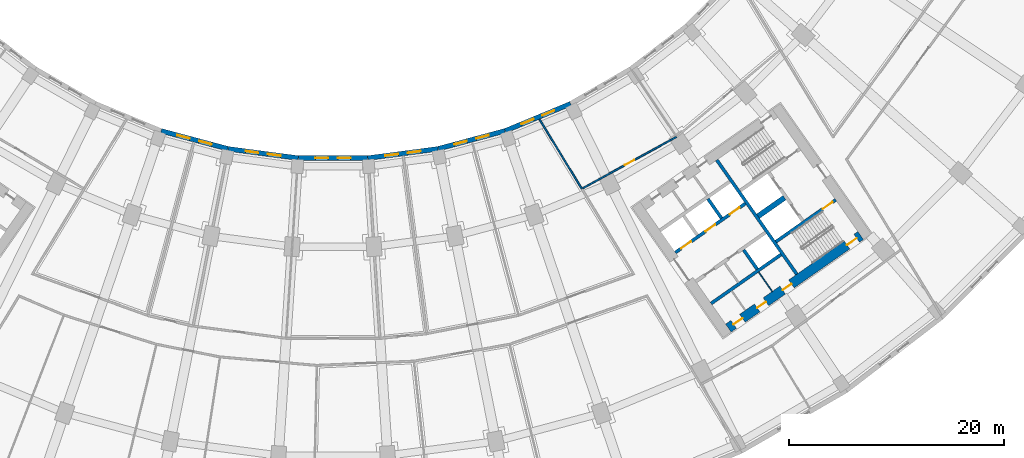
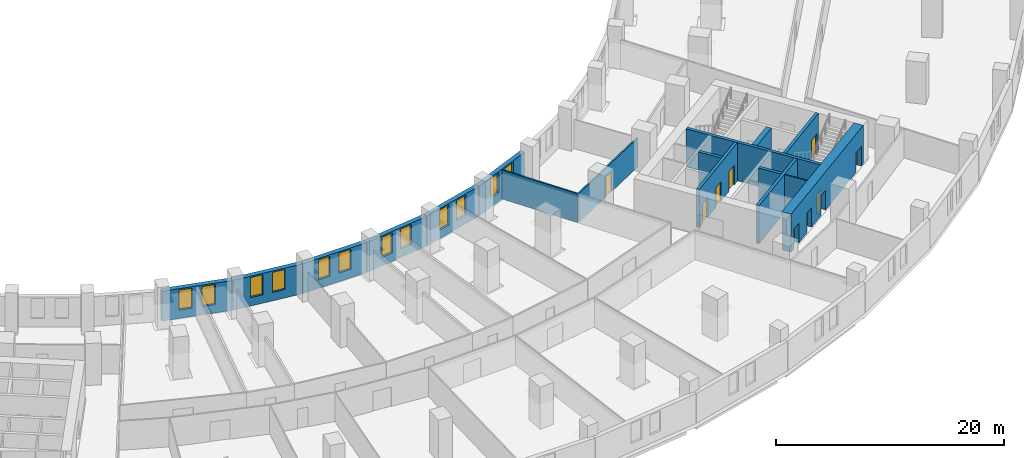
# One storey, part 10 of 20: 17 walls, 12 windows, 9 doors, 21 openings.
"""IFC4 building model written with IfcOpenShell, lengths in metres."""

from ifc_helpers import new_model, si_unit, direction, frame, frame_2d, origin, place, context, subcontext, project, spatial, rectangle, extrude, material, layer, layer_set, type_object, element, fill, save


model = new_model("IFC4")

# Units and contexts
model_context = context("Model", 3, precision=1e-05, world=origin(), true_north=direction((0.0, 1.0)))
body_context = subcontext(model_context, "Body", "Model", "MODEL_VIEW")
ifc_project = project(units=[si_unit("LENGTHUNIT", "METRE"), si_unit("AREAUNIT", "SQUARE_METRE"), si_unit("VOLUMEUNIT", "CUBIC_METRE"), si_unit("PLANEANGLEUNIT", "RADIAN"), si_unit("MASSUNIT", "GRAM", prefix="KILO")], contexts=[model_context])

# Site, building, storey
site_placement = place(None, origin())
site = spatial("IfcSite", under=ifc_project, at=site_placement, CompositionType="ELEMENT")
building_placement = place(site_placement, origin())
building = spatial("IfcBuilding", under=site, at=building_placement, Name="Qamariyya Broadcast Tower", CompositionType="ELEMENT")
storey_placement = place(building_placement, frame((0.0, 0.0, 31.5)))
storey = spatial("IfcBuildingStorey", under=building, at=storey_placement, Name="L04", CompositionType="ELEMENT", Elevation=31.5)

# Wall, openings, doors
ifc_material_1 = material(Name="Concrete C70/85", Category="concrete")
ifc_layer_1 = layer(ifc_material_1, 0.89990234375)
ifc_layer_set_1 = layer_set([ifc_layer_1], Name="Core wall 900 mm Concrete C70/85")
wall_type_1 = type_object("IfcWallType", Name="Core wall 900 mm Concrete C70/85", PredefinedType="SHEAR", material=ifc_layer_set_1)
wall_1_placement = place(storey_placement, frame((36.827392578125, -65.710205078125, 0.0), z_axis=(0.0, 0.0, 1.0), x_axis=(0.819153391756, 0.573574511963, 0.0)))
wall_1 = element("IfcWall", 1, at=wall_1_placement, inside=storey, type_object=wall_type_1, Name="k-E-L04-WO", PredefinedType="SHEAR", context=body_context, shape_type="SweptSolid", body=[
    extrude(rectangle(XDim=15.04541015625, YDim=0.89990234375, at=frame_2d((7.522705078125, 0.0))), origin(), (0.0, 0.0, 1.0), 4.10009765625),
])
opening_1_placement = place(wall_1_placement, frame((0.60009765625, 0.0, 0.0)))
opening_1 = element("IfcOpeningElement", 2, at=opening_1_placement, cuts=wall_1, Name="Opening KD4-E1", PredefinedType="OPENING", context=body_context, shape_type="SweptSolid", body=[
    extrude(rectangle(XDim=1.0, YDim=2.10009765625, at=frame_2d((0.5, 1.050048828125))), frame((0.0, 0.4599609375, 0.0), z_axis=(0.0, -1.0, 0.0), x_axis=(1.0, 0.0, 0.0)), (0.0, 0.0, 1.0), 0.919921875),
])
opening_2_placement = place(wall_1_placement, frame((3.27490234375, 0.0, 0.0)))
opening_2 = element("IfcOpeningElement", 3, at=opening_2_placement, cuts=wall_1, Name="Opening KD4-E2", PredefinedType="OPENING", context=body_context, shape_type="SweptSolid", body=[
    extrude(rectangle(XDim=1.0, YDim=2.10009765625, at=frame_2d((0.5, 1.050048828125))), frame((0.0, 0.4599609375, 0.0), z_axis=(0.0, -1.0, 0.0), x_axis=(1.0, 0.0, 0.0)), (0.0, 0.0, 1.0), 0.919921875),
])
opening_3_placement = place(wall_1_placement, frame((6.175048828125, 0.0, 0.0)))
opening_3 = element("IfcOpeningElement", 4, at=opening_3_placement, cuts=wall_1, Name="Opening KD4-E3", PredefinedType="OPENING", context=body_context, shape_type="SweptSolid", body=[
    extrude(rectangle(XDim=1.0, YDim=2.10009765625, at=frame_2d((0.5, 1.050048828125))), frame((0.0, 0.4599609375, 0.0), z_axis=(0.0, -1.0, 0.0), x_axis=(1.0, 0.0, 0.0)), (0.0, 0.0, 1.0), 0.919921875),
])
opening_4_placement = place(wall_1_placement, frame((13.495361328125, 0.0, 0.0)))
opening_4 = element("IfcOpeningElement", 5, at=opening_4_placement, cuts=wall_1, Name="Opening KD1-E3", PredefinedType="OPENING", context=body_context, shape_type="SweptSolid", body=[
    extrude(rectangle(XDim=1.10009765625, YDim=2.10009765625, at=frame_2d((0.550048828125, 1.050048828125))), frame((0.0, 0.4599609375, 0.0), z_axis=(0.0, -1.0, 0.0), x_axis=(1.0, 0.0, 0.0)), (0.0, 0.0, 1.0), 0.919921875),
])
ifc_material_2 = material(Name="Steel fire-resisting door leaf", Category="steel")
door_type_1 = type_object("IfcDoorType", Name="Riser and plant door KD4", OperationType="SINGLE_SWING_LEFT", PredefinedType="DOOR", material=ifc_material_2)
door_1_placement = place(opening_1_placement, origin())
door_1 = element("IfcDoor", 6, at=door_1_placement, inside=storey, type_object=door_type_1, Name="k-E-L04-WO-D10", OperationType="SINGLE_SWING_RIGHT", OverallHeight=2.10009765625, OverallWidth=1.0, PredefinedType="DOOR", context=body_context, shape_type="SweptSolid", body=[
    extrude(rectangle(XDim=1.0, YDim=2.10009765625, at=frame_2d((0.5, 1.050048828125))), frame((0.0, 0.02490234375, 0.0), z_axis=(0.0, -1.0, 0.0), x_axis=(1.0, 0.0, 0.0)), (0.0, 0.0, 1.0), 0.050048828125),
])
fill(opening_1, door_1)
door_2_placement = place(opening_2_placement, origin())
door_2 = element("IfcDoor", 7, at=door_2_placement, inside=storey, type_object=door_type_1, Name="k-E-L04-WO-D11", OperationType="SINGLE_SWING_LEFT", OverallHeight=2.10009765625, OverallWidth=1.0, PredefinedType="DOOR", context=body_context, shape_type="SweptSolid", body=[
    extrude(rectangle(XDim=1.0, YDim=2.10009765625, at=frame_2d((0.5, 1.050048828125))), frame((0.0, 0.02490234375, 0.0), z_axis=(0.0, -1.0, 0.0), x_axis=(1.0, 0.0, 0.0)), (0.0, 0.0, 1.0), 0.050048828125),
])
fill(opening_2, door_2)
door_3_placement = place(opening_3_placement, origin())
door_3 = element("IfcDoor", 8, at=door_3_placement, inside=storey, type_object=door_type_1, Name="k-E-L04-WO-D12", OperationType="SINGLE_SWING_RIGHT", OverallHeight=2.10009765625, OverallWidth=1.0, PredefinedType="DOOR", context=body_context, shape_type="SweptSolid", body=[
    extrude(rectangle(XDim=1.0, YDim=2.10009765625, at=frame_2d((0.5, 1.050048828125))), frame((0.0, 0.02490234375, 0.0), z_axis=(0.0, -1.0, 0.0), x_axis=(1.0, 0.0, 0.0)), (0.0, 0.0, 1.0), 0.050048828125),
])
fill(opening_3, door_3)
door_type_2 = type_object("IfcDoorType", Name="Stair door KD1", OperationType="SINGLE_SWING_LEFT", PredefinedType="DOOR", material=ifc_material_2)
door_4_placement = place(opening_4_placement, origin())
door_4 = element("IfcDoor", 9, at=door_4_placement, inside=storey, type_object=door_type_2, Name="k-E-L04-WO-D18", OperationType="SINGLE_SWING_LEFT", OverallHeight=2.10009765625, OverallWidth=1.10009765625, PredefinedType="DOOR", context=body_context, shape_type="SweptSolid", body=[
    extrude(rectangle(XDim=1.10009765625, YDim=2.10009765625, at=frame_2d((0.550048828125, 1.050048828125))), frame((0.0, 0.02490234375, 0.0), z_axis=(0.0, -1.0, 0.0), x_axis=(1.0, 0.0, 0.0)), (0.0, 0.0, 1.0), 0.050048828125),
])
fill(opening_4, door_4)

# Wall
ifc_material_3 = material(Name="Gypsum board partition")
ifc_layer_2 = layer(ifc_material_3, 0.14990234375)
ifc_layer_set_2 = layer_set([ifc_layer_2], Name="Corridor partition 150 EI 60")
wall_type_2 = type_object("IfcWallType", Name="Corridor partition 150 EI 60", PredefinedType="PARTITIONING", material=ifc_layer_set_2)
wall_2_placement = place(storey_placement, frame((19.2314453125, -46.2490234375, 0.0), z_axis=(0.0, 0.0, 1.0), x_axis=(0.519582509181, -0.854420280748, 0.0)))
element("IfcWall", 10, at=wall_2_placement, inside=storey, type_object=wall_type_2, Name="Partition L04-045", PredefinedType="PARTITIONING", context=body_context, shape_type="SweptSolid", body=[
    extrude(rectangle(XDim=7.588134765625, YDim=0.14990234375, at=frame_2d((3.7939453125, 0.0))), origin(), (0.0, 0.0, 1.0), 3.10009765625),
])

# Wall, opening, door
wall_3_placement = place(storey_placement, frame((23.239990234375, -52.696533203125, 0.0), z_axis=(0.0, 0.0, 1.0), x_axis=(0.876826033283, 0.480807765492, 0.0)))
wall_3 = element("IfcWall", 11, at=wall_3_placement, inside=storey, type_object=wall_type_2, Name="Partition L04-048", PredefinedType="PARTITIONING", context=body_context, shape_type="SweptSolid", body=[
    extrude(rectangle(XDim=9.991455078125, YDim=0.14990234375, at=frame_2d((4.99560546875, 0.0))), origin(), (0.0, 0.0, 1.0), 3.10009765625),
])
opening_5_placement = place(wall_3_placement, frame((4.495849609375, 0.0, 0.0)))
opening_5 = element("IfcOpeningElement", 12, at=opening_5_placement, cuts=wall_3, Name="Opening L04-D22", PredefinedType="OPENING", context=body_context, shape_type="SweptSolid", body=[
    extrude(rectangle(XDim=1.0, YDim=2.10009765625, at=frame_2d((0.5, 1.050048828125))), frame((0.0, 0.0849609375, 0.0), z_axis=(0.0, -1.0, 0.0), x_axis=(1.0, 0.0, 0.0)), (0.0, 0.0, 1.0), 0.169921875),
])
ifc_material_4 = material(Name="Timber fire door leaf", Category="wood")
door_type_3 = type_object("IfcDoorType", Name="Fire door 1000 x 2100 FD60", OperationType="NOTDEFINED", PredefinedType="DOOR", material=ifc_material_4)
door_5_placement = place(opening_5_placement, origin())
door_5 = element("IfcDoor", 13, at=door_5_placement, inside=storey, type_object=door_type_3, Name="Door L04-D22", OperationType="SINGLE_SWING_RIGHT", OverallHeight=2.10009765625, OverallWidth=1.0, PredefinedType="DOOR", context=body_context, shape_type="SweptSolid", body=[
    extrude(rectangle(XDim=1.0, YDim=2.10009765625, at=frame_2d((0.5, 1.050048828125))), frame((0.0, 0.02490234375, 0.0), z_axis=(0.0, -1.0, 0.0), x_axis=(1.0, 0.0, 0.0)), (0.0, 0.0, 1.0), 0.050048828125),
])
fill(opening_5, door_5)

# Walls
ifc_material_5 = material(Name="Concrete C60/75", Category="concrete")
ifc_layer_3 = layer(ifc_material_5, 0.5)
ifc_layer_set_3 = layer_set([ifc_layer_3], Name="Fire-fighting lobby divider wall 500 mm Concrete C60/75")
wall_type_3 = type_object("IfcWallType", Name="Fire-fighting lobby divider wall 500 mm Concrete C60/75", PredefinedType="SOLIDWALL", material=ifc_layer_set_3)
wall_4_placement = place(storey_placement, frame((39.59912109375, -55.28515625, 0.0), z_axis=(0.0, 0.0, 1.0), x_axis=(0.819136323161, 0.573598887793, 0.0)))
element("IfcWall", 14, at=wall_4_placement, inside=storey, type_object=wall_type_3, Name="k-E-L04-FD", PredefinedType="SOLIDWALL", context=body_context, shape_type="SweptSolid", body=[
    extrude(rectangle(XDim=2.999755859375, YDim=0.5, at=frame_2d((1.5, 0.0))), origin(), (0.0, 0.0, 1.0), 4.10009765625),
])
ifc_layer_4 = layer(ifc_material_5, 0.300048828125)
ifc_layer_set_4 = layer_set([ifc_layer_4], Name="Lift shaft wall 300 mm Concrete C60/75")
wall_type_4 = type_object("IfcWallType", Name="Lift shaft wall 300 mm Concrete C60/75", PredefinedType="SOLIDWALL", material=ifc_layer_set_4)
wall_5_placement = place(storey_placement, frame((43.204345703125, -60.69580078125, 0.0), z_axis=(0.0, 0.0, 1.0), x_axis=(-0.573571992966, 0.819155155563, 0.0)))
element("IfcWall", 15, at=wall_5_placement, inside=storey, type_object=wall_type_4, Name="k-E-L04-WL", PredefinedType="SOLIDWALL", context=body_context, shape_type="SweptSolid", body=[
    extrude(rectangle(XDim=13.000244140625, YDim=0.300048828125, at=frame_2d((6.5, 0.0))), origin(), (0.0, 0.0, 1.0), 4.10009765625),
])

# Wall, openings, doors
wall_6_placement = place(storey_placement, frame((31.89453125, -58.66552734375, 0.0), z_axis=(0.0, 0.0, 1.0), x_axis=(0.819166993208, 0.573555086491, 0.0)))
wall_6 = element("IfcWall", 16, at=wall_6_placement, inside=storey, type_object=wall_type_4, Name="k-E-L04-NF0", PredefinedType="SOLIDWALL", context=body_context, shape_type="SweptSolid", body=[
    extrude(rectangle(XDim=7.9501953125, YDim=0.300048828125, at=frame_2d((3.97509765625, 0.0))), origin(), (0.0, 0.0, 1.0), 4.10009765625),
])
opening_6_placement = place(wall_6_placement, frame((0.675048828125, 0.0, 0.0)))
opening_6 = element("IfcOpeningElement", 17, at=opening_6_placement, cuts=wall_6, Name="Opening LD", PredefinedType="OPENING", context=body_context, shape_type="SweptSolid", body=[
    extrude(rectangle(XDim=1.10009765625, YDim=2.10009765625, at=frame_2d((0.550048828125, 1.050048828125))), frame((0.0, 0.159912109375, 0.0), z_axis=(0.0, -1.0, 0.0), x_axis=(1.0, 0.0, 0.0)), (0.0, 0.0, 1.0), 0.320068359375),
])
opening_7_placement = place(wall_6_placement, frame((3.425048828125, 0.0, 0.0)))
opening_7 = element("IfcOpeningElement", 18, at=opening_7_placement, cuts=wall_6, Name="Opening LD", PredefinedType="OPENING", context=body_context, shape_type="SweptSolid", body=[
    extrude(rectangle(XDim=1.10009765625, YDim=2.10009765625, at=frame_2d((0.550048828125, 1.050048828125))), frame((0.0, 0.159912109375, 0.0), z_axis=(0.0, -1.0, 0.0), x_axis=(1.0, 0.0, 0.0)), (0.0, 0.0, 1.0), 0.320068359375),
])
opening_8_placement = place(wall_6_placement, frame((6.175048828125, 0.0, 0.0)))
opening_8 = element("IfcOpeningElement", 19, at=opening_8_placement, cuts=wall_6, Name="Opening LD", PredefinedType="OPENING", context=body_context, shape_type="SweptSolid", body=[
    extrude(rectangle(XDim=1.10009765625, YDim=2.10009765625, at=frame_2d((0.550048828125, 1.050048828125))), frame((0.0, 0.159912109375, 0.0), z_axis=(0.0, -1.0, 0.0), x_axis=(1.0, 0.0, 0.0)), (0.0, 0.0, 1.0), 0.320068359375),
])
door_type_4 = type_object("IfcDoorType", Name="Lift landing door LD", OperationType="DOUBLE_DOOR_SLIDING", PredefinedType="DOOR", material=ifc_material_2)
door_6_placement = place(opening_6_placement, origin())
door_6 = element("IfcDoor", 20, at=door_6_placement, inside=storey, type_object=door_type_4, Name="k-E-L04-NF0-D2", OperationType="DOUBLE_DOOR_SLIDING", OverallHeight=2.10009765625, OverallWidth=1.10009765625, PredefinedType="DOOR", context=body_context, shape_type="SweptSolid", body=[
    extrude(rectangle(XDim=1.10009765625, YDim=2.10009765625, at=frame_2d((0.550048828125, 1.050048828125))), frame((0.0, 0.02490234375, 0.0), z_axis=(0.0, -1.0, 0.0), x_axis=(1.0, 0.0, 0.0)), (0.0, 0.0, 1.0), 0.050048828125),
])
fill(opening_6, door_6)
door_7_placement = place(opening_7_placement, origin())
door_7 = element("IfcDoor", 21, at=door_7_placement, inside=storey, type_object=door_type_4, Name="k-E-L04-NF0-D3", OperationType="DOUBLE_DOOR_SLIDING", OverallHeight=2.10009765625, OverallWidth=1.10009765625, PredefinedType="DOOR", context=body_context, shape_type="SweptSolid", body=[
    extrude(rectangle(XDim=1.10009765625, YDim=2.10009765625, at=frame_2d((0.550048828125, 1.050048828125))), frame((0.0, 0.02490234375, 0.0), z_axis=(0.0, -1.0, 0.0), x_axis=(1.0, 0.0, 0.0)), (0.0, 0.0, 1.0), 0.050048828125),
])
fill(opening_7, door_7)
door_8_placement = place(opening_8_placement, origin())
door_8 = element("IfcDoor", 22, at=door_8_placement, inside=storey, type_object=door_type_4, Name="k-E-L04-NF0-D4", OperationType="DOUBLE_DOOR_SLIDING", OverallHeight=2.10009765625, OverallWidth=1.10009765625, PredefinedType="DOOR", context=body_context, shape_type="SweptSolid", body=[
    extrude(rectangle(XDim=1.10009765625, YDim=2.10009765625, at=frame_2d((0.550048828125, 1.050048828125))), frame((0.0, 0.02490234375, 0.0), z_axis=(0.0, -1.0, 0.0), x_axis=(1.0, 0.0, 0.0)), (0.0, 0.0, 1.0), 0.050048828125),
])
fill(opening_8, door_8)

# Walls
wall_7_placement = place(storey_placement, frame((36.19091796875, -55.47412109375, 0.0), z_axis=(0.0, 0.0, 1.0), x_axis=(-0.573507030513, 0.819200638399, 0.0)))
element("IfcWall", 23, at=wall_7_placement, inside=storey, type_object=wall_type_4, Name="k-E-L04-ND1", PredefinedType="SOLIDWALL", context=body_context, shape_type="SweptSolid", body=[
    extrude(rectangle(XDim=2.199951171875, YDim=0.300048828125, at=frame_2d((1.10009765625, 0.0))), origin(), (0.0, 0.0, 1.0), 4.10009765625),
])
wall_8_placement = place(storey_placement, frame((35.22119140625, -63.41650390625, 0.0), z_axis=(0.0, 0.0, 1.0), x_axis=(0.819166993208, 0.573555086491, 0.0)))
element("IfcWall", 24, at=wall_8_placement, inside=storey, type_object=wall_type_4, Name="k-E-L04-SB0", PredefinedType="SOLIDWALL", context=body_context, shape_type="SweptSolid", body=[
    extrude(rectangle(XDim=7.9501953125, YDim=0.300048828125, at=frame_2d((3.97509765625, 0.0))), origin(), (0.0, 0.0, 1.0), 4.10009765625),
])
wall_9_placement = place(storey_placement, frame((38.255859375, -58.423095703125, 0.0), z_axis=(0.0, 0.0, 1.0), x_axis=(0.573633636671, -0.819111989218, 0.0)))
element("IfcWall", 25, at=wall_9_placement, inside=storey, type_object=wall_type_4, Name="k-E-L04-SD1", PredefinedType="SOLIDWALL", context=body_context, shape_type="SweptSolid", body=[
    extrude(rectangle(XDim=2.199951171875, YDim=0.300048828125, at=frame_2d((1.10009765625, 0.0))), origin(), (0.0, 0.0, 1.0), 4.10009765625),
])

# Wall, opening, door
wall_10_placement = place(storey_placement, frame((41.262451171875, -57.66064453125, 0.0), z_axis=(0.0, 0.0, 1.0), x_axis=(0.819164398642, 0.573558792102, 0.0)))
wall_10 = element("IfcWall", 26, at=wall_10_placement, inside=storey, type_object=wall_type_4, Name="k-E-L04-SW", PredefinedType="SOLIDWALL", context=body_context, shape_type="SweptSolid", body=[
    extrude(rectangle(XDim=6.795166015625, YDim=0.300048828125, at=frame_2d((3.3974609375, 0.0))), origin(), (0.0, 0.0, 1.0), 4.10009765625),
])
opening_9_placement = place(wall_10_placement, frame((5.3203125, 0.0, 0.0)))
opening_9 = element("IfcOpeningElement", 27, at=opening_9_placement, cuts=wall_10, Name="Opening KD1-E4", PredefinedType="OPENING", context=body_context, shape_type="SweptSolid", body=[
    extrude(rectangle(XDim=1.10009765625, YDim=2.10009765625, at=frame_2d((0.550048828125, 1.050048828125))), frame((0.0, 0.159912109375, 0.0), z_axis=(0.0, -1.0, 0.0), x_axis=(1.0, 0.0, 0.0)), (0.0, 0.0, 1.0), 0.320068359375),
])
door_9_placement = place(opening_9_placement, origin())
door_9 = element("IfcDoor", 28, at=door_9_placement, inside=storey, type_object=door_type_2, Name="k-E-L04-SW-D19", OperationType="SINGLE_SWING_LEFT", OverallHeight=2.10009765625, OverallWidth=1.10009765625, PredefinedType="DOOR", context=body_context, shape_type="SweptSolid", body=[
    extrude(rectangle(XDim=1.10009765625, YDim=2.10009765625, at=frame_2d((0.550048828125, 1.050048828125))), frame((0.0, 0.02490234375, 0.0), z_axis=(0.0, -1.0, 0.0), x_axis=(1.0, 0.0, 0.0)), (0.0, 0.0, 1.0), 0.050048828125),
])
fill(opening_9, door_9)

# Wall, openings, windows
ifc_material_6 = material(Name="Precast concrete C40/50 with terracotta facing", Category="masonry")
ifc_layer_5 = layer(ifc_material_6, 0.449951171875)
ifc_layer_set_5 = layer_set([ifc_layer_5], Name="Precast concrete C40/50 wall 450, terracotta faced")
wall_type_5 = type_object("IfcWallType", Name="Precast concrete C40/50 wall 450, terracotta faced", PredefinedType="SOLIDWALL", material=ifc_layer_set_5)
wall_11_placement = place(storey_placement, frame((3.209716796875, -49.868408203125, 0.0), z_axis=(0.0, 0.0, 1.0), x_axis=(-1.0, 0.0, 0.0)))
wall_11 = element("IfcWall", 29, at=wall_11_placement, inside=storey, type_object=wall_type_5, Name="e-wl-L04-in100", PredefinedType="SOLIDWALL", context=body_context, shape_type="SweptSolid", body=[
    extrude(rectangle(XDim=6.41943359375, YDim=0.449951171875, at=frame_2d((3.209716796875, 0.0))), origin(), (0.0, 0.0, 1.0), 3.199951171875),
])
opening_10_placement = place(wall_11_placement, frame((3.65966796875, 0.0, 0.89990234375)))
opening_10 = element("IfcOpeningElement", 30, at=opening_10_placement, cuts=wall_11, Name="Opening W3", PredefinedType="OPENING", context=body_context, shape_type="SweptSolid", body=[
    extrude(rectangle(XDim=1.199951171875, YDim=2.14990234375, at=frame_2d((0.60009765625, 1.074951171875))), frame((0.0, 0.23486328125, 0.0), z_axis=(0.0, -1.0, 0.0), x_axis=(1.0, 0.0, 0.0)), (0.0, 0.0, 1.0), 0.469970703125),
])
opening_11_placement = place(wall_11_placement, frame((1.5595703125, 0.0, 0.89990234375)))
opening_11 = element("IfcOpeningElement", 31, at=opening_11_placement, cuts=wall_11, Name="Opening W3", PredefinedType="OPENING", context=body_context, shape_type="SweptSolid", body=[
    extrude(rectangle(XDim=1.199951171875, YDim=2.14990234375, at=frame_2d((0.60009765625, 1.074951171875))), frame((0.0, 0.23486328125, 0.0), z_axis=(0.0, -1.0, 0.0), x_axis=(1.0, 0.0, 0.0)), (0.0, 0.0, 1.0), 0.469970703125),
])
ifc_material_7 = material(Name="Clear low-e double glazed unit in aluminium frame", Category="aluminium")
window_type = type_object("IfcWindowType", Name="Podium window 1200 x 2150", PartitioningType="SINGLE_PANEL", PredefinedType="WINDOW", material=ifc_material_7)
window_1_placement = place(opening_10_placement, origin())
window_1 = element("IfcWindow", 32, at=window_1_placement, inside=storey, type_object=window_type, Name="e-w-L04-in10a", OverallHeight=2.14990234375, OverallWidth=1.199951171875, PartitioningType="SINGLE_PANEL", PredefinedType="WINDOW", context=body_context, shape_type="SweptSolid", body=[
    extrude(rectangle(XDim=1.199951171875, YDim=2.14990234375, at=frame_2d((0.60009765625, 1.074951171875))), frame((0.0, 0.030029296875, 0.0), z_axis=(0.0, -1.0, 0.0), x_axis=(1.0, 0.0, 0.0)), (0.0, 0.0, 1.0), 0.06005859375),
])
fill(opening_10, window_1)
window_2_placement = place(opening_11_placement, origin())
window_2 = element("IfcWindow", 33, at=window_2_placement, inside=storey, type_object=window_type, Name="e-w-L04-in10b", OverallHeight=2.14990234375, OverallWidth=1.199951171875, PartitioningType="SINGLE_PANEL", PredefinedType="WINDOW", context=body_context, shape_type="SweptSolid", body=[
    extrude(rectangle(XDim=1.199951171875, YDim=2.14990234375, at=frame_2d((0.60009765625, 1.074951171875))), frame((0.0, 0.030029296875, 0.0), z_axis=(0.0, -1.0, 0.0), x_axis=(1.0, 0.0, 0.0)), (0.0, 0.0, 1.0), 0.06005859375),
])
fill(opening_11, window_2)

wall_12_placement = place(storey_placement, frame((9.779541015625, -49.01123046875, 0.0), z_axis=(0.0, 0.0, 1.0), x_axis=(-0.991445350147, -0.130522479563, 0.0)))
wall_12 = element("IfcWall", 34, at=wall_12_placement, inside=storey, type_object=wall_type_5, Name="e-wl-L04-in110", PredefinedType="SOLIDWALL", context=body_context, shape_type="SweptSolid", body=[
    extrude(rectangle(XDim=6.59716796875, YDim=0.449951171875, at=frame_2d((3.298583984375, 0.0))), origin(), (0.0, 0.0, 1.0), 3.199951171875),
])
opening_12_placement = place(wall_12_placement, frame((3.74853515625, 0.0, 0.89990234375)))
opening_12 = element("IfcOpeningElement", 35, at=opening_12_placement, cuts=wall_12, Name="Opening W3", PredefinedType="OPENING", context=body_context, shape_type="SweptSolid", body=[
    extrude(rectangle(XDim=1.199951171875, YDim=2.14990234375, at=frame_2d((0.60009765625, 1.074951171875))), frame((0.0, 0.23486328125, 0.0), z_axis=(0.0, -1.0, 0.0), x_axis=(1.0, 0.0, 0.0)), (0.0, 0.0, 1.0), 0.469970703125),
])
opening_13_placement = place(wall_12_placement, frame((1.6484375, 0.0, 0.89990234375)))
opening_13 = element("IfcOpeningElement", 36, at=opening_13_placement, cuts=wall_12, Name="Opening W3", PredefinedType="OPENING", context=body_context, shape_type="SweptSolid", body=[
    extrude(rectangle(XDim=1.199951171875, YDim=2.14990234375, at=frame_2d((0.60009765625, 1.074951171875))), frame((0.0, 0.23486328125, 0.0), z_axis=(0.0, -1.0, 0.0), x_axis=(1.0, 0.0, 0.0)), (0.0, 0.0, 1.0), 0.469970703125),
])
window_3_placement = place(opening_12_placement, origin())
window_3 = element("IfcWindow", 37, at=window_3_placement, inside=storey, type_object=window_type, Name="e-w-L04-in11a", OverallHeight=2.14990234375, OverallWidth=1.199951171875, PartitioningType="SINGLE_PANEL", PredefinedType="WINDOW", context=body_context, shape_type="SweptSolid", body=[
    extrude(rectangle(XDim=1.199951171875, YDim=2.14990234375, at=frame_2d((0.60009765625, 1.074951171875))), frame((0.0, 0.030029296875, 0.0), z_axis=(0.0, -1.0, 0.0), x_axis=(1.0, 0.0, 0.0)), (0.0, 0.0, 1.0), 0.06005859375),
])
fill(opening_12, window_3)
window_4_placement = place(opening_13_placement, origin())
window_4 = element("IfcWindow", 38, at=window_4_placement, inside=storey, type_object=window_type, Name="e-w-L04-in11b", OverallHeight=2.14990234375, OverallWidth=1.199951171875, PartitioningType="SINGLE_PANEL", PredefinedType="WINDOW", context=body_context, shape_type="SweptSolid", body=[
    extrude(rectangle(XDim=1.199951171875, YDim=2.14990234375, at=frame_2d((0.60009765625, 1.074951171875))), frame((0.0, 0.030029296875, 0.0), z_axis=(0.0, -1.0, 0.0), x_axis=(1.0, 0.0, 0.0)), (0.0, 0.0, 1.0), 0.06005859375),
])
fill(opening_13, window_4)

wall_13_placement = place(storey_placement, frame((16.007080078125, -47.338623046875, 0.0), z_axis=(0.0, 0.0, 1.0), x_axis=(-0.965926830738, -0.25881529642, 0.0)))
wall_13 = element("IfcWall", 39, at=wall_13_placement, inside=storey, type_object=wall_type_5, Name="e-wl-L04-in120", PredefinedType="SOLIDWALL", context=body_context, shape_type="SweptSolid", body=[
    extrude(rectangle(XDim=6.419189453125, YDim=0.449951171875, at=frame_2d((3.20947265625, 0.0))), origin(), (0.0, 0.0, 1.0), 3.199951171875),
])
opening_14_placement = place(wall_13_placement, frame((3.65966796875, 0.0, 0.89990234375)))
opening_14 = element("IfcOpeningElement", 40, at=opening_14_placement, cuts=wall_13, Name="Opening W3", PredefinedType="OPENING", context=body_context, shape_type="SweptSolid", body=[
    extrude(rectangle(XDim=1.199951171875, YDim=2.14990234375, at=frame_2d((0.60009765625, 1.074951171875))), frame((0.0, 0.23486328125, 0.0), z_axis=(0.0, -1.0, 0.0), x_axis=(1.0, 0.0, 0.0)), (0.0, 0.0, 1.0), 0.469970703125),
])
opening_15_placement = place(wall_13_placement, frame((1.5595703125, 0.0, 0.89990234375)))
opening_15 = element("IfcOpeningElement", 41, at=opening_15_placement, cuts=wall_13, Name="Opening W3", PredefinedType="OPENING", context=body_context, shape_type="SweptSolid", body=[
    extrude(rectangle(XDim=1.199951171875, YDim=2.14990234375, at=frame_2d((0.60009765625, 1.074951171875))), frame((0.0, 0.23486328125, 0.0), z_axis=(0.0, -1.0, 0.0), x_axis=(1.0, 0.0, 0.0)), (0.0, 0.0, 1.0), 0.469970703125),
])
window_5_placement = place(opening_14_placement, origin())
window_5 = element("IfcWindow", 42, at=window_5_placement, inside=storey, type_object=window_type, Name="e-w-L04-in12a", OverallHeight=2.14990234375, OverallWidth=1.199951171875, PartitioningType="SINGLE_PANEL", PredefinedType="WINDOW", context=body_context, shape_type="SweptSolid", body=[
    extrude(rectangle(XDim=1.199951171875, YDim=2.14990234375, at=frame_2d((0.60009765625, 1.074951171875))), frame((0.0, 0.030029296875, 0.0), z_axis=(0.0, -1.0, 0.0), x_axis=(1.0, 0.0, 0.0)), (0.0, 0.0, 1.0), 0.06005859375),
])
fill(opening_14, window_5)
window_6_placement = place(opening_15_placement, origin())
window_6 = element("IfcWindow", 43, at=window_6_placement, inside=storey, type_object=window_type, Name="e-w-L04-in12b", OverallHeight=2.14990234375, OverallWidth=1.199951171875, PartitioningType="SINGLE_PANEL", PredefinedType="WINDOW", context=body_context, shape_type="SweptSolid", body=[
    extrude(rectangle(XDim=1.199951171875, YDim=2.14990234375, at=frame_2d((0.60009765625, 1.074951171875))), frame((0.0, 0.030029296875, 0.0), z_axis=(0.0, -1.0, 0.0), x_axis=(1.0, 0.0, 0.0)), (0.0, 0.0, 1.0), 0.06005859375),
])
fill(opening_15, window_6)

wall_14_placement = place(storey_placement, frame((22.13134765625, -44.81005859375, 0.0), z_axis=(0.0, 0.0, 1.0), x_axis=(-0.923877459804, -0.382688436284, 0.0)))
wall_14 = element("IfcWall", 44, at=wall_14_placement, inside=storey, type_object=wall_type_5, Name="e-wl-L04-in130", PredefinedType="SOLIDWALL", context=body_context, shape_type="SweptSolid", body=[
    extrude(rectangle(XDim=6.59716796875, YDim=0.449951171875, at=frame_2d((3.298583984375, 0.0))), origin(), (0.0, 0.0, 1.0), 3.199951171875),
])
opening_16_placement = place(wall_14_placement, frame((3.74853515625, 0.0, 0.89990234375)))
opening_16 = element("IfcOpeningElement", 45, at=opening_16_placement, cuts=wall_14, Name="Opening W3", PredefinedType="OPENING", context=body_context, shape_type="SweptSolid", body=[
    extrude(rectangle(XDim=1.199951171875, YDim=2.14990234375, at=frame_2d((0.60009765625, 1.074951171875))), frame((0.0, 0.23486328125, 0.0), z_axis=(0.0, -1.0, 0.0), x_axis=(1.0, 0.0, 0.0)), (0.0, 0.0, 1.0), 0.469970703125),
])
opening_17_placement = place(wall_14_placement, frame((1.6484375, 0.0, 0.89990234375)))
opening_17 = element("IfcOpeningElement", 46, at=opening_17_placement, cuts=wall_14, Name="Opening W3", PredefinedType="OPENING", context=body_context, shape_type="SweptSolid", body=[
    extrude(rectangle(XDim=1.199951171875, YDim=2.14990234375, at=frame_2d((0.60009765625, 1.074951171875))), frame((0.0, 0.23486328125, 0.0), z_axis=(0.0, -1.0, 0.0), x_axis=(1.0, 0.0, 0.0)), (0.0, 0.0, 1.0), 0.469970703125),
])
window_7_placement = place(opening_16_placement, origin())
window_7 = element("IfcWindow", 47, at=window_7_placement, inside=storey, type_object=window_type, Name="e-w-L04-in13a", OverallHeight=2.14990234375, OverallWidth=1.199951171875, PartitioningType="SINGLE_PANEL", PredefinedType="WINDOW", context=body_context, shape_type="SweptSolid", body=[
    extrude(rectangle(XDim=1.199951171875, YDim=2.14990234375, at=frame_2d((0.60009765625, 1.074951171875))), frame((0.0, 0.030029296875, 0.0), z_axis=(0.0, -1.0, 0.0), x_axis=(1.0, 0.0, 0.0)), (0.0, 0.0, 1.0), 0.06005859375),
])
fill(opening_16, window_7)
window_8_placement = place(opening_17_placement, origin())
window_8 = element("IfcWindow", 48, at=window_8_placement, inside=storey, type_object=window_type, Name="e-w-L04-in13b", OverallHeight=2.14990234375, OverallWidth=1.199951171875, PartitioningType="SINGLE_PANEL", PredefinedType="WINDOW", context=body_context, shape_type="SweptSolid", body=[
    extrude(rectangle(XDim=1.199951171875, YDim=2.14990234375, at=frame_2d((0.60009765625, 1.074951171875))), frame((0.0, 0.030029296875, 0.0), z_axis=(0.0, -1.0, 0.0), x_axis=(1.0, 0.0, 0.0)), (0.0, 0.0, 1.0), 0.06005859375),
])
fill(opening_17, window_8)

wall_15_placement = place(storey_placement, frame((-9.806640625, -49.0, 0.0), z_axis=(0.0, 0.0, 1.0), x_axis=(-0.965926830738, 0.25881529642, 0.0)))
wall_15 = element("IfcWall", 49, at=wall_15_placement, inside=storey, type_object=wall_type_5, Name="e-wl-L04-in80", PredefinedType="SOLIDWALL", context=body_context, shape_type="SweptSolid", body=[
    extrude(rectangle(XDim=6.419189453125, YDim=0.449951171875, at=frame_2d((3.20947265625, 0.0))), origin(), (0.0, 0.0, 1.0), 3.199951171875),
])
opening_18_placement = place(wall_15_placement, frame((3.65966796875, 0.0, 0.89990234375)))
opening_18 = element("IfcOpeningElement", 50, at=opening_18_placement, cuts=wall_15, Name="Opening W3", PredefinedType="OPENING", context=body_context, shape_type="SweptSolid", body=[
    extrude(rectangle(XDim=1.199951171875, YDim=2.14990234375, at=frame_2d((0.60009765625, 1.074951171875))), frame((0.0, 0.23486328125, 0.0), z_axis=(0.0, -1.0, 0.0), x_axis=(1.0, 0.0, 0.0)), (0.0, 0.0, 1.0), 0.469970703125),
])
opening_19_placement = place(wall_15_placement, frame((1.5595703125, 0.0, 0.89990234375)))
opening_19 = element("IfcOpeningElement", 51, at=opening_19_placement, cuts=wall_15, Name="Opening W3", PredefinedType="OPENING", context=body_context, shape_type="SweptSolid", body=[
    extrude(rectangle(XDim=1.199951171875, YDim=2.14990234375, at=frame_2d((0.60009765625, 1.074951171875))), frame((0.0, 0.23486328125, 0.0), z_axis=(0.0, -1.0, 0.0), x_axis=(1.0, 0.0, 0.0)), (0.0, 0.0, 1.0), 0.469970703125),
])
window_9_placement = place(opening_18_placement, origin())
window_9 = element("IfcWindow", 52, at=window_9_placement, inside=storey, type_object=window_type, Name="e-w-L04-in08a", OverallHeight=2.14990234375, OverallWidth=1.199951171875, PartitioningType="SINGLE_PANEL", PredefinedType="WINDOW", context=body_context, shape_type="SweptSolid", body=[
    extrude(rectangle(XDim=1.199951171875, YDim=2.14990234375, at=frame_2d((0.60009765625, 1.074951171875))), frame((0.0, 0.030029296875, 0.0), z_axis=(0.0, -1.0, 0.0), x_axis=(1.0, 0.0, 0.0)), (0.0, 0.0, 1.0), 0.06005859375),
])
fill(opening_18, window_9)
window_10_placement = place(opening_19_placement, origin())
window_10 = element("IfcWindow", 53, at=window_10_placement, inside=storey, type_object=window_type, Name="e-w-L04-in08b", OverallHeight=2.14990234375, OverallWidth=1.199951171875, PartitioningType="SINGLE_PANEL", PredefinedType="WINDOW", context=body_context, shape_type="SweptSolid", body=[
    extrude(rectangle(XDim=1.199951171875, YDim=2.14990234375, at=frame_2d((0.60009765625, 1.074951171875))), frame((0.0, 0.030029296875, 0.0), z_axis=(0.0, -1.0, 0.0), x_axis=(1.0, 0.0, 0.0)), (0.0, 0.0, 1.0), 0.06005859375),
])
fill(opening_19, window_10)

wall_16_placement = place(storey_placement, frame((-3.23876953125, -49.872314453125, 0.0), z_axis=(0.0, 0.0, 1.0), x_axis=(-0.991445350147, 0.130522479563, 0.0)))
wall_16 = element("IfcWall", 54, at=wall_16_placement, inside=storey, type_object=wall_type_5, Name="e-wl-L04-in90", PredefinedType="SOLIDWALL", context=body_context, shape_type="SweptSolid", body=[
    extrude(rectangle(XDim=6.59716796875, YDim=0.449951171875, at=frame_2d((3.298583984375, 0.0))), origin(), (0.0, 0.0, 1.0), 3.199951171875),
])
opening_20_placement = place(wall_16_placement, frame((3.74853515625, 0.0, 0.89990234375)))
opening_20 = element("IfcOpeningElement", 55, at=opening_20_placement, cuts=wall_16, Name="Opening W3", PredefinedType="OPENING", context=body_context, shape_type="SweptSolid", body=[
    extrude(rectangle(XDim=1.199951171875, YDim=2.14990234375, at=frame_2d((0.60009765625, 1.074951171875))), frame((0.0, 0.23486328125, 0.0), z_axis=(0.0, -1.0, 0.0), x_axis=(1.0, 0.0, 0.0)), (0.0, 0.0, 1.0), 0.469970703125),
])
opening_21_placement = place(wall_16_placement, frame((1.6484375, 0.0, 0.89990234375)))
opening_21 = element("IfcOpeningElement", 56, at=opening_21_placement, cuts=wall_16, Name="Opening W3", PredefinedType="OPENING", context=body_context, shape_type="SweptSolid", body=[
    extrude(rectangle(XDim=1.199951171875, YDim=2.14990234375, at=frame_2d((0.60009765625, 1.074951171875))), frame((0.0, 0.23486328125, 0.0), z_axis=(0.0, -1.0, 0.0), x_axis=(1.0, 0.0, 0.0)), (0.0, 0.0, 1.0), 0.469970703125),
])
window_11_placement = place(opening_20_placement, origin())
window_11 = element("IfcWindow", 57, at=window_11_placement, inside=storey, type_object=window_type, Name="e-w-L04-in09a", OverallHeight=2.14990234375, OverallWidth=1.199951171875, PartitioningType="SINGLE_PANEL", PredefinedType="WINDOW", context=body_context, shape_type="SweptSolid", body=[
    extrude(rectangle(XDim=1.199951171875, YDim=2.14990234375, at=frame_2d((0.60009765625, 1.074951171875))), frame((0.0, 0.030029296875, 0.0), z_axis=(0.0, -1.0, 0.0), x_axis=(1.0, 0.0, 0.0)), (0.0, 0.0, 1.0), 0.06005859375),
])
fill(opening_20, window_11)
window_12_placement = place(opening_21_placement, origin())
window_12 = element("IfcWindow", 58, at=window_12_placement, inside=storey, type_object=window_type, Name="e-w-L04-in09b", OverallHeight=2.14990234375, OverallWidth=1.199951171875, PartitioningType="SINGLE_PANEL", PredefinedType="WINDOW", context=body_context, shape_type="SweptSolid", body=[
    extrude(rectangle(XDim=1.199951171875, YDim=2.14990234375, at=frame_2d((0.60009765625, 1.074951171875))), frame((0.0, 0.030029296875, 0.0), z_axis=(0.0, -1.0, 0.0), x_axis=(1.0, 0.0, 0.0)), (0.0, 0.0, 1.0), 0.06005859375),
])
fill(opening_21, window_12)

# Wall
ifc_material_8 = material(Name="Fire-rated gypsum shaft liner on steel studs", Category="steel")
ifc_layer_6 = layer(ifc_material_8, 0.10009765625)
ifc_layer_set_6 = layer_set([ifc_layer_6], Name="Riser wall 100 mm")
wall_type_6 = type_object("IfcWallType", Name="Riser wall 100 mm", PredefinedType="PLUMBINGWALL", material=ifc_layer_set_6)
wall_17_placement = place(storey_placement, frame((39.64892578125, -60.49951171875, 0.0), z_axis=(0.0, 0.0, 1.0), x_axis=(0.573507030513, -0.819200638399, 0.0)))
element("IfcWall", 59, at=wall_17_placement, inside=storey, type_object=wall_type_6, Name="k-E-L04-SP530", PredefinedType="PLUMBINGWALL", context=body_context, shape_type="SweptSolid", body=[
    extrude(rectangle(XDim=2.199951171875, YDim=0.10009765625, at=frame_2d((1.10009765625, 0.0))), origin(), (0.0, 0.0, 1.0), 4.10009765625),
])

save(model, "model.ifc")
